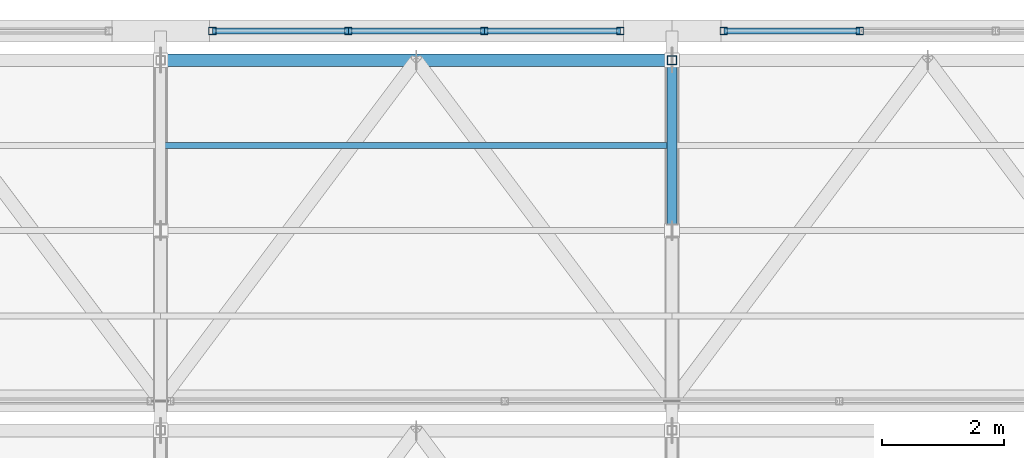
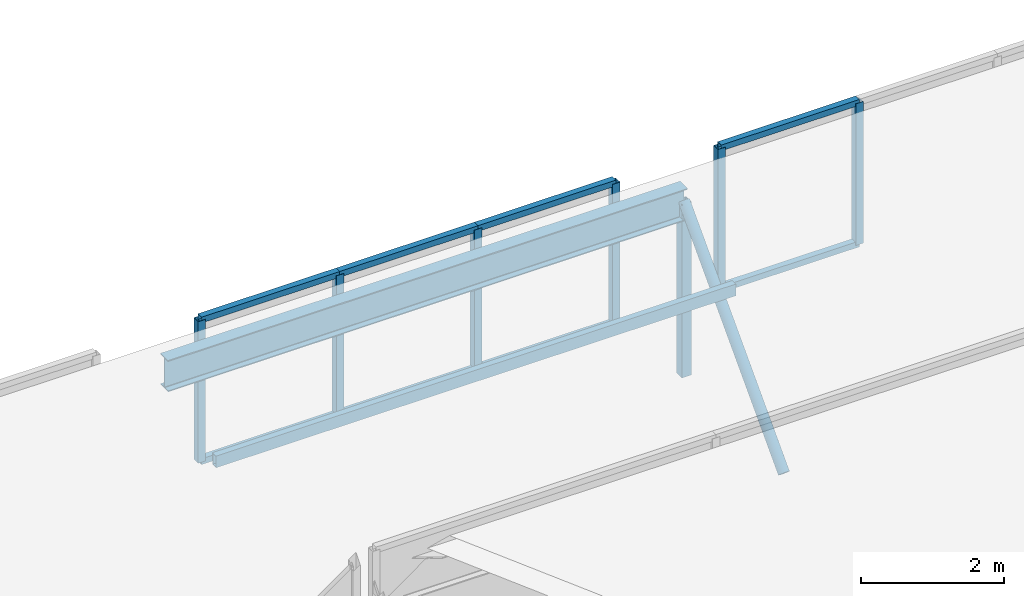
# One storey, part 132 of 217: 18 members, 2 elements without a shape of their own.
"""IFC4 building model written with IfcOpenShell, lengths in metres."""

import ifcopenshell
import ifcopenshell.guid

model = None  # the IFC model being written
_history = None  # IfcOwnerHistory: only IFC2X3 demands one
_inside = {}  # id of a spatial element -> (the spatial element, [elements in it])
_under = {}  # id of a project, library or spatial element -> (it, [spatial elements below it])
_declared = {}  # id of a project -> (the project, [libraries it declares])
_typed = {}  # id of a type object -> (the type object, [elements of that type])
_made_of = {}  # id of a material, layer set ... -> (it, [elements and type objects made of it])


def new_model(schema):
    """Start an empty IFC model of exactly this schema.

    Asked for "IFC4X3", IfcOpenShell would pick the latest addendum, in which some entities
    have other attributes; the version numbers below select the first issue.
    IFC2X3 requires an IfcOwnerHistory on every rooted entity: one is made here for all.
    """
    global model, _history
    if schema == "IFC4X3":
        model = ifcopenshell.file(schema_version=(4, 3, 0, 0))
    else:
        model = ifcopenshell.file(schema=schema)
    _inside.clear()
    _under.clear()
    _declared.clear()
    _typed.clear()
    _made_of.clear()
    _history = None
    if model.schema == "IFC2X3":
        org = make("IfcOrganization", Name="unknown")
        user = make(
            "IfcPersonAndOrganization",
            ThePerson=make("IfcPerson", FamilyName="unknown"),
            TheOrganization=org,
        )
        app = make(
            "IfcApplication",
            ApplicationDeveloper=org,
            Version="unknown",
            ApplicationFullName="unknown",
            ApplicationIdentifier="unknown",
        )
        _history = make(
            "IfcOwnerHistory",
            OwningUser=user,
            OwningApplication=app,
            ChangeAction="ADDED",
            CreationDate=0,
        )
    return model


def make(cls, **values):
    """One entity of the class cls with the attributes given. An attribute that is None is left unset."""
    return model.create_entity(
        cls, **{name: value for name, value in values.items() if value is not None}
    )


def rooted(cls, **values):
    """An entity with a GlobalId (a new one), such as an element, a storey or a relation."""
    return make(cls, GlobalId=ifcopenshell.guid.new(), OwnerHistory=_history, **values)


def si_unit(unit_type, name, prefix=None):
    """IfcSIUnit, for example si_unit("LENGTHUNIT", "METRE", prefix="MILLI")."""
    return make("IfcSIUnit", UnitType=unit_type, Prefix=prefix, Name=name)


def assignment(units):
    """IfcUnitAssignment: the units of a project."""
    return None if units is None else make("IfcUnitAssignment", Units=units)


def point(xyz):
    """IfcCartesianPoint."""
    return None if xyz is None else make("IfcCartesianPoint", Coordinates=xyz)


def direction(xyz):
    """IfcDirection."""
    return None if xyz is None else make("IfcDirection", DirectionRatios=xyz)


def frame(location, z_axis=None, x_axis=None):
    """IfcAxis2Placement3D, a coordinate frame: its origin and axes. An axis left out is left unset."""
    return make(
        "IfcAxis2Placement3D",
        Location=point(location),
        Axis=direction(z_axis),
        RefDirection=direction(x_axis),
    )


def frame_2d(location, x_axis=None):
    """IfcAxis2Placement2D, a coordinate frame in the plane: its origin and x axis."""
    return make(
        "IfcAxis2Placement2D", Location=point(location), RefDirection=direction(x_axis)
    )


def origin():
    """The frame at (0, 0, 0) with its axes left unset."""
    return frame((0.0, 0.0, 0.0))


def origin_2d():
    """The frame at (0, 0) in the plane with its x axis left unset."""
    return frame_2d((0.0, 0.0))


def place(relative_to, where):
    """IfcLocalPlacement: puts the frame where relative to a parent placement (None: the world)."""
    return make(
        "IfcLocalPlacement", PlacementRelTo=relative_to, RelativePlacement=where
    )


def context(
    kind, dimensions, precision=None, world=None, true_north=None, identifier=None
):
    """IfcGeometricRepresentationContext, for example the 3D "Model" context."""
    return make(
        "IfcGeometricRepresentationContext",
        ContextIdentifier=identifier,
        ContextType=kind,
        CoordinateSpaceDimension=dimensions,
        Precision=precision,
        WorldCoordinateSystem=world,
        TrueNorth=true_north,
    )


def subcontext(parent, identifier, kind, view, scale=None):
    """IfcGeometricRepresentationSubContext, for example "Body" below "Model"."""
    return make(
        "IfcGeometricRepresentationSubContext",
        ContextIdentifier=identifier,
        ContextType=kind,
        ParentContext=parent,
        TargetScale=scale,
        TargetView=view,
    )


def project(units=None, contexts=None):
    """IfcProject with its units and contexts."""
    return rooted(
        "IfcProject",
        Name="project",
        RepresentationContexts=contexts,
        UnitsInContext=assignment(units),
    )


def spatial(cls, under=None, at=None, **own):
    """A site, building, storey or space (cls), placed at a placement, below another one or the project."""
    s = rooted(cls, ObjectPlacement=at, **own)
    if under is not None:
        _under.setdefault(under.id(), (under, []))[1].append(s)
    return s


def profile(cls, at=None, kind="AREA", **sizes):
    """A parametric profile (cls). Its sizes go by their IFC names, for example OverallWidth=200.0."""
    return make(cls, ProfileType=kind, Position=at, **sizes)


def hollow_rectangle(**sizes):
    """IfcRectangleHollowProfileDef."""
    return profile("IfcRectangleHollowProfileDef", **sizes)


def hollow_circle(**sizes):
    """IfcCircleHollowProfileDef."""
    return profile("IfcCircleHollowProfileDef", **sizes)


def i_section(**sizes):
    """IfcIShapeProfileDef."""
    return profile("IfcIShapeProfileDef", **sizes)


def extrude(swept, where, along, depth):
    """IfcExtrudedAreaSolid: the profile swept, set in the frame where, extruded along a direction by depth."""
    return make(
        "IfcExtrudedAreaSolid",
        SweptArea=swept,
        Position=where,
        ExtrudedDirection=direction(along),
        Depth=depth,
    )


def shape(context_of_items, identifier, shape_type, items):
    """IfcShapeRepresentation: the items that make up one representation, for example the "Body"."""
    return make(
        "IfcShapeRepresentation",
        ContextOfItems=context_of_items,
        RepresentationIdentifier=identifier,
        RepresentationType=shape_type,
        Items=items,
    )


def material(Name=None, Category=None):
    """IfcMaterial."""
    return make("IfcMaterial", Name=Name, Category=Category)


def material_profile(
    of_material, cross_section, Name=None, Category=None, Priority=None
):
    """IfcMaterialProfile: a cross section and its material."""
    return make(
        "IfcMaterialProfile",
        Name=Name,
        Material=of_material,
        Profile=cross_section,
        Priority=Priority,
        Category=Category,
    )


def profile_set(profiles, Name=None, composite=None):
    """IfcMaterialProfileSet."""
    return make(
        "IfcMaterialProfileSet",
        Name=Name,
        MaterialProfiles=profiles,
        CompositeProfile=composite,
    )


def made_of(thing, what):
    """Note that an element or type object is made of a material, layer set ...; save() writes the relation."""
    if what is not None:
        _made_of.setdefault(what.id(), (what, []))[1].append(thing)
    return thing


def type_object(cls, material=None, **own):
    """A type object (cls), such as IfcWallType, which elements share."""
    return made_of(rooted(cls, **own), material)


def element(
    cls,
    number,
    at=None,
    inside=None,
    cuts=None,
    type_object=None,
    material=None,
    context=None,
    identifier="Body",
    shape_type=None,
    held_by="IfcProductDefinitionShape",
    body=None,
    shapes=None,
    **own,
):
    """One element of the class cls, such as IfcWall. Its Tag is "e" and its number.

    at: its placement. inside: the storey or other place that contains it. cuts: it is an
    opening in that element (IfcRelVoidsElement). A single representation is given by context,
    identifier, shape_type and body (its items); several are given by shapes. held_by: the class
    of the entity that holds the representations. save() writes the other relations.
    """
    e = rooted(cls, Tag="e%d" % number, ObjectPlacement=at, **own)
    if body is not None:
        shapes = [shape(context, identifier, shape_type, body)]
    if shapes is not None:
        e.Representation = make(held_by, Representations=shapes)
    if inside is not None:
        _inside.setdefault(inside.id(), (inside, []))[1].append(e)
    if cuts is not None:
        rooted(
            "IfcRelVoidsElement", RelatingBuildingElement=cuts, RelatedOpeningElement=e
        )
    if type_object is not None:
        _typed.setdefault(type_object.id(), (type_object, []))[1].append(e)
    return made_of(e, material)


def aggregate(whole, parts):
    """IfcRelAggregates: a whole, such as a stair, and the parts it consists of."""
    return rooted("IfcRelAggregates", RelatingObject=whole, RelatedObjects=parts)


def save(model, path):
    """Write the relations noted so far, then the file.

    IfcRelAggregates (storeys below a building ...), IfcRelContainedInSpatialStructure (elements
    in a storey), IfcRelDefinesByType, IfcRelAssociatesMaterial and IfcRelDeclares: one each for
    every whole, place, type object, material and project.
    """
    for whole, parts in _under.values():
        aggregate(whole, parts)
    for where, things in _inside.values():
        rooted(
            "IfcRelContainedInSpatialStructure",
            RelatedElements=things,
            RelatingStructure=where,
        )
    for kind, things in _typed.values():
        rooted("IfcRelDefinesByType", RelatedObjects=things, RelatingType=kind)
    for what, things in _made_of.values():
        rooted("IfcRelAssociatesMaterial", RelatedObjects=things, RelatingMaterial=what)
    for by, libraries in _declared.values():
        rooted("IfcRelDeclares", RelatingContext=by, RelatedDefinitions=libraries)
    model.write(path)


model = new_model("IFC4")

# Units and contexts
model_context = context("Model", 3, precision=1e-05, world=origin(), true_north=direction((0.0, 1.0)))
body_context = subcontext(model_context, "Body", "Model", "MODEL_VIEW")
ifc_project = project(units=[si_unit("LENGTHUNIT", "METRE"), si_unit("AREAUNIT", "SQUARE_METRE"), si_unit("VOLUMEUNIT", "CUBIC_METRE"), si_unit("PLANEANGLEUNIT", "RADIAN"), si_unit("MASSUNIT", "GRAM", prefix="KILO")], contexts=[model_context])

# Site, building, storey
site_placement = place(None, origin())
site = spatial("IfcSite", under=ifc_project, at=site_placement, CompositionType="ELEMENT")
building_placement = place(site_placement, origin())
building = spatial("IfcBuilding", under=site, at=building_placement, Name="Zuvorla Pavilion Media Centre", CompositionType="ELEMENT")
storey_placement = place(building_placement, frame((0.0, 0.0, 9.60009765625)))
storey = spatial("IfcBuildingStorey", under=building, at=storey_placement, Name="L02", CompositionType="ELEMENT", Elevation=9.60009765625)

# Curtain wall, members
ifc_material_1 = material(Name="Unitised anodised aluminium and solar glass curtain wall", Category="aluminium")
curtain_wall_type = type_object("IfcCurtainWallType", Name="CW-SYS-89", PredefinedType="USERDEFINED", material=ifc_material_1)
curtain_wall_1_placement = place(storey_placement, origin())
curtain_wall_1 = element("IfcCurtainWall", 1, at=curtain_wall_1_placement, inside=storey, type_object=curtain_wall_type, Name="L02 curtain wall CW89 222", ObjectType="CURTAIN WALL", PredefinedType="USERDEFINED")
ifc_material_2 = material(Name="Anodised aluminium 6063-T6", Category="aluminium")
ifc_material_profile_1 = material_profile(ifc_material_2, hollow_rectangle(XDim=0.1201171875, YDim=0.1201171875, WallThickness=0.0048828125, at=origin_2d()), Name="ALU MULL 120x120")
ifc_profile_set_1 = profile_set([ifc_material_profile_1], Name="Anodised aluminium 6063-T6")
member_type_1 = type_object("IfcMemberType", Name="CW-MULL-120", PredefinedType="MULLION", material=ifc_profile_set_1)
member_1_placement = place(storey_placement, frame((118.05029296875, 120.0, 0.0), z_axis=(0.0, 0.0, 1.0), x_axis=(1.0, 0.0, 0.0)))
member_1 = element("IfcMember", 2, at=member_1_placement, type_object=member_type_1, Name="CW89 mullion 1", PredefinedType="MULLION", context=body_context, shape_type="SweptSolid", body=[
    extrude(hollow_rectangle(XDim=0.1201171875, YDim=0.1201171875, WallThickness=0.0048828125, at=origin_2d()), origin(), (0.0, 0.0, 1.0), 2.419921875),
])
member_2_placement = place(storey_placement, frame((120.283447265625, 120.0, 0.0), z_axis=(0.0, 0.0, 1.0), x_axis=(1.0, 0.0, 0.0)))
member_2 = element("IfcMember", 3, at=member_2_placement, type_object=member_type_1, Name="CW89 mullion 2", PredefinedType="MULLION", context=body_context, shape_type="SweptSolid", body=[
    extrude(hollow_rectangle(XDim=0.1201171875, YDim=0.1201171875, WallThickness=0.0048828125, at=origin_2d()), origin(), (0.0, 0.0, 1.0), 2.419921875),
])
member_3_placement = place(storey_placement, frame((122.5166015625, 120.0, 0.0), z_axis=(0.0, 0.0, 1.0), x_axis=(1.0, 0.0, 0.0)))
member_3 = element("IfcMember", 4, at=member_3_placement, type_object=member_type_1, Name="CW89 mullion 3", PredefinedType="MULLION", context=body_context, shape_type="SweptSolid", body=[
    extrude(hollow_rectangle(XDim=0.1201171875, YDim=0.1201171875, WallThickness=0.0048828125, at=origin_2d()), origin(), (0.0, 0.0, 1.0), 2.419921875),
])
member_4_placement = place(storey_placement, frame((124.749755859375, 120.0, 0.0), z_axis=(0.0, 0.0, 1.0), x_axis=(1.0, 0.0, 0.0)))
member_4 = element("IfcMember", 5, at=member_4_placement, type_object=member_type_1, Name="CW89 mullion 4", PredefinedType="MULLION", context=body_context, shape_type="SweptSolid", body=[
    extrude(hollow_rectangle(XDim=0.1201171875, YDim=0.1201171875, WallThickness=0.0048828125, at=origin_2d()), origin(), (0.0, 0.0, 1.0), 2.419921875),
])

curtain_wall_2_placement = place(storey_placement, origin())
curtain_wall_2 = element("IfcCurtainWall", 6, at=curtain_wall_2_placement, inside=storey, type_object=curtain_wall_type, Name="L02 curtain wall CW89 223", ObjectType="CURTAIN WALL", PredefinedType="USERDEFINED")
member_5_placement = place(storey_placement, frame((126.4501953125, 120.0, 0.0), z_axis=(0.0, 0.0, 1.0), x_axis=(1.0, 0.0, 0.0)))
member_5 = element("IfcMember", 7, at=member_5_placement, type_object=member_type_1, Name="CW89 mullion 1", PredefinedType="MULLION", context=body_context, shape_type="SweptSolid", body=[
    extrude(hollow_rectangle(XDim=0.1201171875, YDim=0.1201171875, WallThickness=0.0048828125, at=origin_2d()), origin(), (0.0, 0.0, 1.0), 2.419921875),
])
member_6_placement = place(storey_placement, frame((128.683349609375, 120.0, 0.0), z_axis=(0.0, 0.0, 1.0), x_axis=(1.0, 0.0, 0.0)))
member_6 = element("IfcMember", 8, at=member_6_placement, type_object=member_type_1, Name="CW89 mullion 2", PredefinedType="MULLION", context=body_context, shape_type="SweptSolid", body=[
    extrude(hollow_rectangle(XDim=0.1201171875, YDim=0.1201171875, WallThickness=0.0048828125, at=origin_2d()), origin(), (0.0, 0.0, 1.0), 2.419921875),
])

# Member
ifc_material_profile_2 = material_profile(ifc_material_2, hollow_rectangle(XDim=0.10009765625, YDim=0.10009765625, WallThickness=0.00439453125, at=origin_2d()), Name="ALU TRAN 100x100")
ifc_profile_set_2 = profile_set([ifc_material_profile_2], Name="Anodised aluminium 6063-T6")
member_type_2 = type_object("IfcMemberType", Name="CW-TRAN-100", PredefinedType="USERDEFINED", material=ifc_profile_set_2)
member_7_placement = place(storey_placement, frame((118.05029296875, 120.0, 0.0), z_axis=(1.0, 0.0, 0.0), x_axis=(0.0, 1.0, 0.0)))
member_7 = element("IfcMember", 9, at=member_7_placement, type_object=member_type_2, Name="CW89 transom 1.1", ObjectType="TRANSOM", PredefinedType="USERDEFINED", context=body_context, shape_type="SweptSolid", body=[
    extrude(hollow_rectangle(XDim=0.10009765625, YDim=0.10009765625, WallThickness=0.00439453125, at=origin_2d()), origin(), (0.0, 0.0, 1.0), 2.233154296875),
])

member_8_placement = place(storey_placement, frame((118.05029296875, 120.0, 2.419921875), z_axis=(1.0, 0.0, 0.0), x_axis=(0.0, 1.0, 0.0)))
member_8 = element("IfcMember", 10, at=member_8_placement, type_object=member_type_2, Name="CW89 transom 1.2", ObjectType="TRANSOM", PredefinedType="USERDEFINED", context=body_context, shape_type="SweptSolid", body=[
    extrude(hollow_rectangle(XDim=0.10009765625, YDim=0.10009765625, WallThickness=0.00439453125, at=origin_2d()), origin(), (0.0, 0.0, 1.0), 2.233154296875),
])

member_9_placement = place(storey_placement, frame((120.283447265625, 120.0, 0.0), z_axis=(1.0, 0.0, 0.0), x_axis=(0.0, 1.0, 0.0)))
member_9 = element("IfcMember", 11, at=member_9_placement, type_object=member_type_2, Name="CW89 transom 2.1", ObjectType="TRANSOM", PredefinedType="USERDEFINED", context=body_context, shape_type="SweptSolid", body=[
    extrude(hollow_rectangle(XDim=0.10009765625, YDim=0.10009765625, WallThickness=0.00439453125, at=origin_2d()), origin(), (0.0, 0.0, 1.0), 2.233154296875),
])

member_10_placement = place(storey_placement, frame((120.283447265625, 120.0, 2.419921875), z_axis=(1.0, 0.0, 0.0), x_axis=(0.0, 1.0, 0.0)))
member_10 = element("IfcMember", 12, at=member_10_placement, type_object=member_type_2, Name="CW89 transom 2.2", ObjectType="TRANSOM", PredefinedType="USERDEFINED", context=body_context, shape_type="SweptSolid", body=[
    extrude(hollow_rectangle(XDim=0.10009765625, YDim=0.10009765625, WallThickness=0.00439453125, at=origin_2d()), origin(), (0.0, 0.0, 1.0), 2.233154296875),
])

member_11_placement = place(storey_placement, frame((122.5166015625, 120.0, 0.0), z_axis=(1.0, 0.0, 0.0), x_axis=(0.0, 1.0, 0.0)))
member_11 = element("IfcMember", 13, at=member_11_placement, type_object=member_type_2, Name="CW89 transom 3.1", ObjectType="TRANSOM", PredefinedType="USERDEFINED", context=body_context, shape_type="SweptSolid", body=[
    extrude(hollow_rectangle(XDim=0.10009765625, YDim=0.10009765625, WallThickness=0.00439453125, at=origin_2d()), origin(), (0.0, 0.0, 1.0), 2.233154296875),
])

member_12_placement = place(storey_placement, frame((122.5166015625, 120.0, 2.419921875), z_axis=(1.0, 0.0, 0.0), x_axis=(0.0, 1.0, 0.0)))
member_12 = element("IfcMember", 14, at=member_12_placement, type_object=member_type_2, Name="CW89 transom 3.2", ObjectType="TRANSOM", PredefinedType="USERDEFINED", context=body_context, shape_type="SweptSolid", body=[
    extrude(hollow_rectangle(XDim=0.10009765625, YDim=0.10009765625, WallThickness=0.00439453125, at=origin_2d()), origin(), (0.0, 0.0, 1.0), 2.233154296875),
])

aggregate(curtain_wall_1, [member_1, member_2, member_3, member_4, member_7, member_8, member_9, member_10, member_11, member_12])

member_13_placement = place(storey_placement, frame((126.4501953125, 120.0, 0.0), z_axis=(1.0, 0.0, 0.0), x_axis=(0.0, 1.0, 0.0)))
member_13 = element("IfcMember", 15, at=member_13_placement, type_object=member_type_2, Name="CW89 transom 1.1", ObjectType="TRANSOM", PredefinedType="USERDEFINED", context=body_context, shape_type="SweptSolid", body=[
    extrude(hollow_rectangle(XDim=0.10009765625, YDim=0.10009765625, WallThickness=0.00439453125, at=origin_2d()), origin(), (0.0, 0.0, 1.0), 2.233154296875),
])

member_14_placement = place(storey_placement, frame((126.4501953125, 120.0, 2.419921875), z_axis=(1.0, 0.0, 0.0), x_axis=(0.0, 1.0, 0.0)))
member_14 = element("IfcMember", 16, at=member_14_placement, type_object=member_type_2, Name="CW89 transom 1.2", ObjectType="TRANSOM", PredefinedType="USERDEFINED", context=body_context, shape_type="SweptSolid", body=[
    extrude(hollow_rectangle(XDim=0.10009765625, YDim=0.10009765625, WallThickness=0.00439453125, at=origin_2d()), origin(), (0.0, 0.0, 1.0), 2.233154296875),
])

aggregate(curtain_wall_2, [member_5, member_6, member_13, member_14])

# Members
ifc_material_3 = material(Name="Steel S355", Category="steel")
ifc_material_profile_3 = material_profile(ifc_material_3, hollow_circle(Radius=0.084228515625, WallThickness=0.008056640625, at=origin_2d()), Name="CHS 168.3x8")
ifc_profile_set_3 = profile_set([ifc_material_profile_3], Name="Steel S355")
member_type_3 = type_object("IfcMemberType", Name="MEM-BRC-CHS168", PredefinedType="BRACE", material=ifc_profile_set_3)
member_15_placement = place(storey_placement, frame((125.60009765625, 116.719970703125, -0.880126953125), z_axis=(0.0, 0.68676242614, 0.726881950555), x_axis=(-1.0, 0.0, 0.0)))
element("IfcMember", 17, at=member_15_placement, inside=storey, type_object=member_type_3, Name="L02 diagonal brace TB03 443", PredefinedType="BRACE", context=body_context, shape_type="SweptSolid", body=[
    extrude(hollow_circle(Radius=0.084228515625, WallThickness=0.008056640625, at=origin_2d()), origin(), (0.0, 0.0, 1.0), 4.0771484375),
])
ifc_material_profile_4 = material_profile(ifc_material_3, i_section(OverallWidth=0.2099609375, OverallDepth=0.53662109375, WebThickness=0.0107421875, FlangeThickness=0.017333984375, FilletRadius=0.0126953125, at=origin_2d()), Name="UB 533x210x101")
ifc_profile_set_4 = profile_set([ifc_material_profile_4], Name="Steel S355")
member_type_4 = type_object("IfcMemberType", Name="MEM-CHD-UB533", PredefinedType="CHORD", material=ifc_profile_set_4)
member_16_placement = place(storey_placement, frame((117.199951171875, 119.52001953125, 2.08349609375), z_axis=(1.0, 0.0, 0.0), x_axis=(0.0, 1.0, 0.0)))
element("IfcMember", 18, at=member_16_placement, inside=storey, type_object=member_type_4, Name="L02 chord TC02 486", PredefinedType="CHORD", context=body_context, shape_type="SweptSolid", body=[
    extrude(i_section(OverallWidth=0.2099609375, OverallDepth=0.53662109375, WebThickness=0.0107421875, FlangeThickness=0.017333984375, FilletRadius=0.0126953125, at=origin_2d()), origin(), (0.0, 0.0, 1.0), 8.400146484375),
])
ifc_material_profile_5 = material_profile(ifc_material_3, hollow_rectangle(XDim=0.10009765625, YDim=0.199951171875, WallThickness=0.008056640625, at=origin_2d()), Name="RHS 200x100x8")
ifc_profile_set_5 = profile_set([ifc_material_profile_5], Name="Steel S355")
member_type_5 = type_object("IfcMemberType", Name="MEM-PUR-RHS200", PredefinedType="PURLIN", material=ifc_profile_set_5)
member_17_placement = place(storey_placement, frame((117.199951171875, 118.1201171875, 1.43359375), z_axis=(1.0, 0.0, 0.0), x_axis=(0.0, 1.0, 0.0)))
element("IfcMember", 19, at=member_17_placement, inside=storey, type_object=member_type_5, Name="L02 purlin PR01 491", PredefinedType="PURLIN", context=body_context, shape_type="SweptSolid", body=[
    extrude(hollow_rectangle(XDim=0.10009765625, YDim=0.199951171875, WallThickness=0.008056640625, at=origin_2d()), origin(), (0.0, 0.0, 1.0), 8.400146484375),
])
ifc_material_profile_6 = material_profile(ifc_material_3, hollow_rectangle(XDim=0.14990234375, YDim=0.14990234375, WallThickness=0.008056640625, at=origin_2d()), Name="SHS 150x150x8")
ifc_profile_set_6 = profile_set([ifc_material_profile_6], Name="Steel S355")
member_type_6 = type_object("IfcMemberType", Name="MEM-STR-SHS150", PredefinedType="STRUT", material=ifc_profile_set_6)
member_18_placement = place(storey_placement, frame((125.60009765625, 119.52001953125, -0.880126953125), z_axis=(0.0, 0.0, 1.0), x_axis=(1.0, 0.0, 0.0)))
element("IfcMember", 20, at=member_18_placement, inside=storey, type_object=member_type_6, Name="L02 vertical strut TS01 442", PredefinedType="STRUT", context=body_context, shape_type="SweptSolid", body=[
    extrude(hollow_rectangle(XDim=0.14990234375, YDim=0.14990234375, WallThickness=0.008056640625, at=origin_2d()), origin(), (0.0, 0.0, 1.0), 2.963623046875),
])

save(model, "model.ifc")
